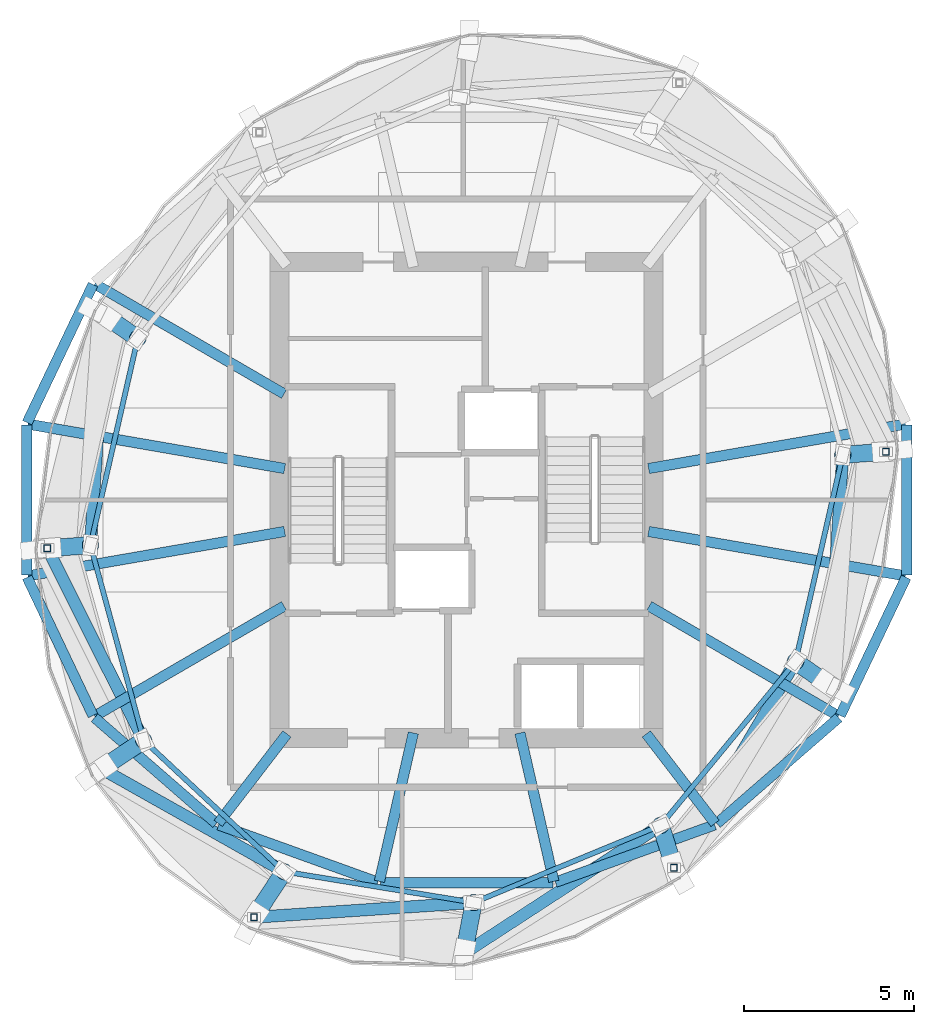
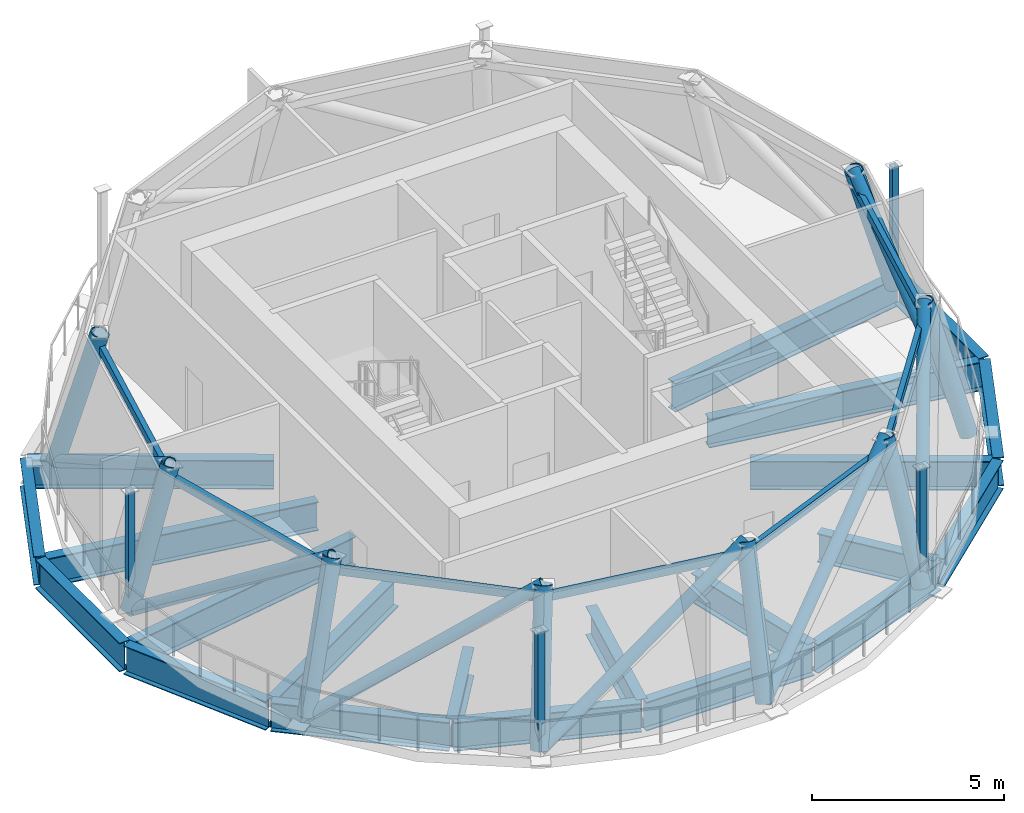
# One storey, part 1 of 7: 26 members, 21 beams.
"""IFC4 building model written with IfcOpenShell, lengths in metres."""

from ifc_helpers import new_model, si_unit, direction, frame, origin, origin_2d, place, context, subcontext, project, spatial, hollow_rectangle, hollow_circle, i_section, extrude, material, material_profile, profile_set, type_object, element, save


model = new_model("IFC4")

# Units and contexts
model_context = context("Model", 3, precision=1e-05, world=origin(), true_north=direction((0.0, 1.0)))
body_context = subcontext(model_context, "Body", "Model", "MODEL_VIEW")
ifc_project = project(units=[si_unit("LENGTHUNIT", "METRE"), si_unit("AREAUNIT", "SQUARE_METRE"), si_unit("VOLUMEUNIT", "CUBIC_METRE"), si_unit("PLANEANGLEUNIT", "RADIAN"), si_unit("MASSUNIT", "GRAM", prefix="KILO")], contexts=[model_context])

# Site, building, storey
site_placement = place(None, origin())
site = spatial("IfcSite", under=ifc_project, at=site_placement, CompositionType="ELEMENT")
building_placement = place(site_placement, origin())
building = spatial("IfcBuilding", under=site, at=building_placement, Name="Veldorim Arch Residences", CompositionType="ELEMENT")
storey_placement = place(building_placement, frame((0.0, 0.0, 251.0400390625)))
storey = spatial("IfcBuildingStorey", under=building, at=storey_placement, Name="L75", CompositionType="ELEMENT", Elevation=251.0400390625)

# Members
ifc_material_1 = material(Name="Steel S460", Category="steel")
ifc_material_profile_1 = material_profile(ifc_material_1, hollow_circle(Radius=0.177734375, WallThickness=0.02490234375, at=origin_2d()), Name="CHS355.6x25")
ifc_profile_set_1 = profile_set([ifc_material_profile_1], Name="Steel S460")
member_type_1 = type_object("IfcMemberType", Name="Crown Diagrid CHS355.6x25", PredefinedType="STRUT", material=ifc_profile_set_1)
member_1_placement = place(storey_placement, frame((21.370361328125, 29.416015625, 0.0), z_axis=(-0.055035247735, -0.849831592334, 0.524173049838), x_axis=(0.997909632251, -0.064624808402, 0.0)))
element("IfcMember", 1, at=member_1_placement, inside=storey, type_object=member_type_1, Name="L75 Crown Diagrid diagrid brace 04", PredefinedType="STRUT", context=body_context, shape_type="SweptSolid", body=[
    extrude(hollow_circle(Radius=0.177734375, WallThickness=0.02490234375, at=origin_2d()), origin(), (0.0, 0.0, 1.0), 7.93603515625),
])
member_2_placement = place(storey_placement, frame((19.664306640625, 22.57763671875, 0.0), z_axis=(0.374609822945, -0.746736009212, 0.549593316097), x_axis=(0.893831825321, 0.448402350623, 0.0)))
element("IfcMember", 2, at=member_2_placement, inside=storey, type_object=member_type_1, Name="L75 Crown Diagrid diagrid brace 05", PredefinedType="STRUT", context=body_context, shape_type="SweptSolid", body=[
    extrude(hollow_circle(Radius=0.177734375, WallThickness=0.02490234375, at=origin_2d()), origin(), (0.0, 0.0, 1.0), 7.569091796875),
])
member_3_placement = place(storey_placement, frame((21.25341796875, 16.09521484375, 0.0), z_axis=(0.722502643959, -0.406836275155, 0.558993895038), x_axis=(0.490653793986, 0.871354608898, 0.0)))
element("IfcMember", 3, at=member_3_placement, inside=storey, type_object=member_type_1, Name="L75 Crown Diagrid diagrid brace 06", PredefinedType="STRUT", context=body_context, shape_type="SweptSolid", body=[
    extrude(hollow_circle(Radius=0.177734375, WallThickness=0.02490234375, at=origin_2d()), origin(), (0.0, 0.0, 1.0), 7.44189453125),
])
member_4_placement = place(storey_placement, frame((25.743896484375, 11.721923828125, 0.0), z_axis=(0.839575217455, 0.0564748069, 0.540299963373), x_axis=(-0.067114264156, 0.997745295928, 0.0)))
element("IfcMember", 4, at=member_4_placement, inside=storey, type_object=member_type_1, Name="L75 Crown Diagrid diagrid brace 07", PredefinedType="STRUT", context=body_context, shape_type="SweptSolid", body=[
    extrude(hollow_circle(Radius=0.177734375, WallThickness=0.02490234375, at=origin_2d()), origin(), (0.0, 0.0, 1.0), 7.69921875),
])
member_5_placement = place(storey_placement, frame((31.92138671875, 10.659423828125, 0.0), z_axis=(0.718023965014, 0.467413231535, 0.515719358423), x_axis=(-0.545560663654, 0.838071334836, 0.0)))
element("IfcMember", 5, at=member_5_placement, inside=storey, type_object=member_type_1, Name="L75 Crown Diagrid diagrid brace 08", PredefinedType="STRUT", context=body_context, shape_type="SweptSolid", body=[
    extrude(hollow_circle(Radius=0.177734375, WallThickness=0.02490234375, at=origin_2d()), origin(), (0.0, 0.0, 1.0), 8.066162109375),
])
member_6_placement = place(storey_placement, frame((38.10009765625, 13.18408203125, 0.0), z_axis=(0.437318733251, 0.741554741246, 0.508771944276), x_axis=(-0.861370183832, 0.507977761723, 0.0)))
element("IfcMember", 6, at=member_6_placement, inside=storey, type_object=member_type_1, Name="L75 Crown Diagrid diagrid brace 09", PredefinedType="STRUT", context=body_context, shape_type="SweptSolid", body=[
    extrude(hollow_circle(Radius=0.177734375, WallThickness=0.02490234375, at=origin_2d()), origin(), (0.0, 0.0, 1.0), 8.17626953125),
])
member_7_placement = place(storey_placement, frame((42.629638671875, 18.583984375, 0.0), z_axis=(0.055035247735, 0.849831592334, 0.524173049838), x_axis=(-0.997909632251, 0.064624808402, 0.0)))
element("IfcMember", 7, at=member_7_placement, inside=storey, type_object=member_type_1, Name="L75 Crown Diagrid diagrid brace 10", PredefinedType="STRUT", context=body_context, shape_type="SweptSolid", body=[
    extrude(hollow_circle(Radius=0.177734375, WallThickness=0.02490234375, at=origin_2d()), origin(), (0.0, 0.0, 1.0), 7.93603515625),
])
ifc_material_2 = material(Name="Steel S460", Category="steel")
ifc_material_profile_2 = material_profile(ifc_material_2, hollow_circle(Radius=0.25390625, WallThickness=0.034912109375, at=origin_2d()), Name="CHS508x35")
ifc_profile_set_2 = profile_set([ifc_material_profile_2], Name="Steel S460")
member_type_2 = type_object("IfcMemberType", Name="Crown Diagrid CHS508x35", PredefinedType="BRACE", material=ifc_profile_set_2)
member_8_placement = place(storey_placement, frame((21.370361328125, 29.416015625, 0.0), z_axis=(0.220845778104, -0.153580235247, 0.96314082752), x_axis=(0.570935188225, 0.820995134484, 0.0)))
element("IfcMember", 8, at=member_8_placement, inside=storey, type_object=member_type_2, Name="L75 Crown Diagrid tapering rib 04", PredefinedType="BRACE", context=body_context, shape_type="SweptSolid", body=[
    extrude(hollow_circle(Radius=0.25390625, WallThickness=0.034912109375, at=origin_2d()), origin(), (0.0, 0.0, 1.0), 4.319091796875),
])
member_9_placement = place(storey_placement, frame((19.664306640625, 22.57763671875, 0.0), z_axis=(0.291772459094, 0.021606539094, 0.956243687343), x_axis=(-0.073850488533, 0.997269324377, 0.0)))
element("IfcMember", 9, at=member_9_placement, inside=storey, type_object=member_type_2, Name="L75 Crown Diagrid tapering rib 05", PredefinedType="BRACE", context=body_context, shape_type="SweptSolid", body=[
    extrude(hollow_circle(Radius=0.25390625, WallThickness=0.034912109375, at=origin_2d()), origin(), (0.0, 0.0, 1.0), 4.350341796875),
])
member_10_placement = place(storey_placement, frame((21.25341796875, 16.09521484375, 0.0), z_axis=(0.281895659201, 0.187801593916, 0.940885433326), x_axis=(-0.554436825685, 0.832225814502, 0.0)))
element("IfcMember", 10, at=member_10_placement, inside=storey, type_object=member_type_2, Name="L75 Crown Diagrid tapering rib 06", PredefinedType="BRACE", context=body_context, shape_type="SweptSolid", body=[
    extrude(hollow_circle(Radius=0.25390625, WallThickness=0.034912109375, at=origin_2d()), origin(), (0.0, 0.0, 1.0), 4.42138671875),
])
member_11_placement = place(storey_placement, frame((25.743896484375, 11.721923828125, 0.0), z_axis=(0.19865850046, 0.301654450286, 0.932490961252), x_axis=(-0.835160679729, 0.550006035453, 0.0)))
element("IfcMember", 11, at=member_11_placement, inside=storey, type_object=member_type_2, Name="L75 Crown Diagrid tapering rib 07", PredefinedType="BRACE", context=body_context, shape_type="SweptSolid", body=[
    extrude(hollow_circle(Radius=0.25390625, WallThickness=0.034912109375, at=origin_2d()), origin(), (0.0, 0.0, 1.0), 4.461181640625),
])
member_12_placement = place(storey_placement, frame((31.92138671875, 10.659423828125, 0.0), z_axis=(0.064693311534, 0.337959181977, 0.938934697815), x_axis=(-0.982167148307, 0.188009820987, 0.0)))
element("IfcMember", 12, at=member_12_placement, inside=storey, type_object=member_type_2, Name="L75 Crown Diagrid tapering rib 08", PredefinedType="BRACE", context=body_context, shape_type="SweptSolid", body=[
    extrude(hollow_circle(Radius=0.25390625, WallThickness=0.034912109375, at=origin_2d()), origin(), (0.0, 0.0, 1.0), 4.430419921875),
])
member_13_placement = place(storey_placement, frame((38.10009765625, 13.18408203125, 0.0), z_axis=(-0.08876103006, 0.285715315688, 0.954195073307), x_axis=(-0.954978222575, -0.296675908033, 0.0)))
element("IfcMember", 13, at=member_13_placement, inside=storey, type_object=member_type_2, Name="L75 Crown Diagrid tapering rib 09", PredefinedType="BRACE", context=body_context, shape_type="SweptSolid", body=[
    extrude(hollow_circle(Radius=0.25390625, WallThickness=0.034912109375, at=origin_2d()), origin(), (0.0, 0.0, 1.0), 4.359619140625),
])
member_14_placement = place(storey_placement, frame((42.629638671875, 18.583984375, 0.0), z_axis=(-0.220845778104, 0.153580235247, 0.96314082752), x_axis=(-0.570935188225, -0.820995134484, 0.0)))
element("IfcMember", 14, at=member_14_placement, inside=storey, type_object=member_type_2, Name="L75 Crown Diagrid tapering rib 10", PredefinedType="BRACE", context=body_context, shape_type="SweptSolid", body=[
    extrude(hollow_circle(Radius=0.25390625, WallThickness=0.034912109375, at=origin_2d()), origin(), (0.0, 0.0, 1.0), 4.319091796875),
])
member_15_placement = place(storey_placement, frame((44.335693359375, 25.42236328125, 0.0), z_axis=(-0.291772459094, -0.021606539094, 0.956243687343), x_axis=(0.073850488533, -0.997269324377, 0.0)))
element("IfcMember", 15, at=member_15_placement, inside=storey, type_object=member_type_2, Name="L75 Crown Diagrid tapering rib 11", PredefinedType="BRACE", context=body_context, shape_type="SweptSolid", body=[
    extrude(hollow_circle(Radius=0.25390625, WallThickness=0.034912109375, at=origin_2d()), origin(), (0.0, 0.0, 1.0), 4.350341796875),
])

# Beams
ifc_material_3 = material(Name="Steel S355", Category="steel")
ifc_material_profile_3 = material_profile(ifc_material_3, i_section(OverallWidth=0.305419921875, OverallDepth=0.91845703125, WebThickness=0.017333984375, FlangeThickness=0.02783203125, at=origin_2d()), Name="UB914x305x253")
ifc_profile_set_3 = profile_set([ifc_material_profile_3], Name="Steel S355")
beam_type = type_object("IfcBeamType", Name="Structural Steel GIRDER UB914x305x253", PredefinedType="USERDEFINED", material=ifc_profile_set_3)
beam_1_placement = place(storey_placement, frame((37.352294921875, 24.92578125, -0.789306640625), z_axis=(0.985359560088, 0.170489112096, 0.0), x_axis=(-0.170489112096, 0.985359560088, 0.0)))
element("IfcBeam", 16, at=beam_1_placement, inside=storey, type_object=beam_type, Name="L75 crown rib base transfer girder 01", ObjectType="GIRDER", PredefinedType="USERDEFINED", context=body_context, shape_type="SweptSolid", body=[
    extrude(i_section(OverallWidth=0.305419921875, OverallDepth=0.91845703125, WebThickness=0.017333984375, FlangeThickness=0.02783203125, at=origin_2d()), origin(), (0.0, 0.0, 1.0), 7.6669921875),
])
beam_2_placement = place(storey_placement, frame((21.00732421875, 30.341796875, -0.789306640625), z_axis=(-0.429979872273, -0.902838473615, 0.0), x_axis=(0.902838473615, -0.429979872273, 0.0)))
element("IfcBeam", 17, at=beam_2_placement, inside=storey, type_object=beam_type, Name="L75 crown perimeter transfer ring girder 07", ObjectType="GIRDER", PredefinedType="USERDEFINED", context=body_context, shape_type="SweptSolid", body=[
    extrude(i_section(OverallWidth=0.305419921875, OverallDepth=0.91845703125, WebThickness=0.017333984375, FlangeThickness=0.02783203125, at=origin_2d()), origin(), (0.0, 0.0, 1.0), 4.503662109375),
])
beam_3_placement = place(storey_placement, frame((26.629638671875, 27.12060546875, -0.789306640625), z_axis=(-0.864600984746, 0.502459090053, 0.0), x_axis=(-0.502459090053, -0.864600984746, 0.0)))
element("IfcBeam", 18, at=beam_3_placement, inside=storey, type_object=beam_type, Name="L75 crown rib base transfer girder 07", ObjectType="GIRDER", PredefinedType="USERDEFINED", context=body_context, shape_type="SweptSolid", body=[
    extrude(i_section(OverallWidth=0.305419921875, OverallDepth=0.91845703125, WebThickness=0.017333984375, FlangeThickness=0.02783203125, at=origin_2d()), origin(), (0.0, 0.0, 1.0), 6.44287109375),
])
beam_4_placement = place(storey_placement, frame((19.0537109375, 26.19970703125, -0.789306640625), z_axis=(0.0, -1.0, 0.0), x_axis=(1.0, 0.0, 0.0)))
element("IfcBeam", 19, at=beam_4_placement, inside=storey, type_object=beam_type, Name="L75 crown perimeter transfer ring girder 08", ObjectType="GIRDER", PredefinedType="USERDEFINED", context=body_context, shape_type="SweptSolid", body=[
    extrude(i_section(OverallWidth=0.305419921875, OverallDepth=0.91845703125, WebThickness=0.017333984375, FlangeThickness=0.02783203125, at=origin_2d()), origin(), (0.0, 0.0, 1.0), 4.3994140625),
])
beam_5_placement = place(storey_placement, frame((26.647705078125, 24.92578125, -0.789306640625), z_axis=(-0.985359560088, 0.170489112096, 0.0), x_axis=(-0.170489112096, -0.985359560088, 0.0)))
element("IfcBeam", 20, at=beam_5_placement, inside=storey, type_object=beam_type, Name="L75 crown rib base transfer girder 08", ObjectType="GIRDER", PredefinedType="USERDEFINED", context=body_context, shape_type="SweptSolid", body=[
    extrude(i_section(OverallWidth=0.305419921875, OverallDepth=0.91845703125, WebThickness=0.017333984375, FlangeThickness=0.02783203125, at=origin_2d()), origin(), (0.0, 0.0, 1.0), 7.6669921875),
])
beam_6_placement = place(storey_placement, frame((19.07080078125, 21.724365234375, -0.789306640625), z_axis=(0.429979872273, -0.902838473615, 0.0), x_axis=(0.902838473615, 0.429979872273, 0.0)))
element("IfcBeam", 21, at=beam_6_placement, inside=storey, type_object=beam_type, Name="L75 crown perimeter transfer ring girder 09", ObjectType="GIRDER", PredefinedType="USERDEFINED", context=body_context, shape_type="SweptSolid", body=[
    extrude(i_section(OverallWidth=0.305419921875, OverallDepth=0.91845703125, WebThickness=0.017333984375, FlangeThickness=0.02783203125, at=origin_2d()), origin(), (0.0, 0.0, 1.0), 4.503662109375),
])
beam_7_placement = place(storey_placement, frame((26.647705078125, 23.07421875, -0.789306640625), z_axis=(-0.985359560088, -0.170489112096, 0.0), x_axis=(0.170489112096, -0.985359560088, 0.0)))
element("IfcBeam", 22, at=beam_7_placement, inside=storey, type_object=beam_type, Name="L75 crown rib base transfer girder 09", ObjectType="GIRDER", PredefinedType="USERDEFINED", context=body_context, shape_type="SweptSolid", body=[
    extrude(i_section(OverallWidth=0.305419921875, OverallDepth=0.91845703125, WebThickness=0.017333984375, FlangeThickness=0.02783203125, at=origin_2d()), origin(), (0.0, 0.0, 1.0), 7.6669921875),
])
beam_8_placement = place(storey_placement, frame((21.0546875, 17.595947265625, -0.789306640625), z_axis=(0.754542402207, -0.656251295825, 0.0), x_axis=(0.656251295825, 0.754542402207, 0.0)))
element("IfcBeam", 23, at=beam_8_placement, inside=storey, type_object=beam_type, Name="L75 crown perimeter transfer ring girder 10", ObjectType="GIRDER", PredefinedType="USERDEFINED", context=body_context, shape_type="SweptSolid", body=[
    extrude(i_section(OverallWidth=0.305419921875, OverallDepth=0.91845703125, WebThickness=0.017333984375, FlangeThickness=0.02783203125, at=origin_2d()), origin(), (0.0, 0.0, 1.0), 4.74658203125),
])
beam_9_placement = place(storey_placement, frame((26.629638671875, 20.87939453125, -0.789306640625), z_axis=(-0.864600984746, -0.502459090053, 0.0), x_axis=(0.502459090053, -0.864600984746, 0.0)))
element("IfcBeam", 24, at=beam_9_placement, inside=storey, type_object=beam_type, Name="L75 crown rib base transfer girder 10", ObjectType="GIRDER", PredefinedType="USERDEFINED", context=body_context, shape_type="SweptSolid", body=[
    extrude(i_section(OverallWidth=0.305419921875, OverallDepth=0.91845703125, WebThickness=0.017333984375, FlangeThickness=0.02783203125, at=origin_2d()), origin(), (0.0, 0.0, 1.0), 6.44287109375),
])
beam_10_placement = place(storey_placement, frame((24.7041015625, 14.441162109375, -0.789306640625), z_axis=(0.940817364479, -0.338913981261, 0.0), x_axis=(0.338913981261, 0.940817364479, 0.0)))
element("IfcBeam", 25, at=beam_10_placement, inside=storey, type_object=beam_type, Name="L75 crown perimeter transfer ring girder 11", ObjectType="GIRDER", PredefinedType="USERDEFINED", context=body_context, shape_type="SweptSolid", body=[
    extrude(i_section(OverallWidth=0.305419921875, OverallDepth=0.91845703125, WebThickness=0.017333984375, FlangeThickness=0.02783203125, at=origin_2d()), origin(), (0.0, 0.0, 1.0), 4.977783203125),
])
beam_11_placement = place(storey_placement, frame((26.71337890625, 17.118896484375, -0.789306640625), z_axis=(-0.609220183268, -0.793001114942, 0.0), x_axis=(0.793001114942, -0.609220183268, 0.0)))
element("IfcBeam", 26, at=beam_11_placement, inside=storey, type_object=beam_type, Name="L75 crown rib base transfer girder 11", ObjectType="GIRDER", PredefinedType="USERDEFINED", context=body_context, shape_type="SweptSolid", body=[
    extrude(i_section(OverallWidth=0.305419921875, OverallDepth=0.91845703125, WebThickness=0.017333984375, FlangeThickness=0.02783203125, at=origin_2d()), origin(), (0.0, 0.0, 1.0), 3.31982421875),
])
beam_12_placement = place(storey_placement, frame((29.46484375, 12.740478515625, -0.789306640625), z_axis=(1.0, 0.0, 0.0), x_axis=(0.0, 1.0, 0.0)))
element("IfcBeam", 27, at=beam_12_placement, inside=storey, type_object=beam_type, Name="L75 crown perimeter transfer ring girder 12", ObjectType="GIRDER", PredefinedType="USERDEFINED", context=body_context, shape_type="SweptSolid", body=[
    extrude(i_section(OverallWidth=0.305419921875, OverallDepth=0.91845703125, WebThickness=0.017333984375, FlangeThickness=0.02783203125, at=origin_2d()), origin(), (0.0, 0.0, 1.0), 5.0703125),
])
beam_13_placement = place(storey_placement, frame((30.432373046875, 17.146240234375, -0.789306640625), z_axis=(-0.222968348227, -0.974825684771, 0.0), x_axis=(0.974825684771, -0.222968348227, 0.0)))
element("IfcBeam", 28, at=beam_13_placement, inside=storey, type_object=beam_type, Name="L75 crown rib base transfer girder 12", ObjectType="GIRDER", PredefinedType="USERDEFINED", context=body_context, shape_type="SweptSolid", body=[
    extrude(i_section(OverallWidth=0.305419921875, OverallDepth=0.91845703125, WebThickness=0.017333984375, FlangeThickness=0.02783203125, at=origin_2d()), origin(), (0.0, 0.0, 1.0), 4.4794921875),
])
beam_14_placement = place(storey_placement, frame((34.61279296875, 12.754150390625, -0.789306640625), z_axis=(0.940817364479, 0.338913981261, 0.0), x_axis=(-0.338913981261, 0.940817364479, 0.0)))
element("IfcBeam", 29, at=beam_14_placement, inside=storey, type_object=beam_type, Name="L75 crown perimeter transfer ring girder 13", ObjectType="GIRDER", PredefinedType="USERDEFINED", context=body_context, shape_type="SweptSolid", body=[
    extrude(i_section(OverallWidth=0.305419921875, OverallDepth=0.91845703125, WebThickness=0.017333984375, FlangeThickness=0.02783203125, at=origin_2d()), origin(), (0.0, 0.0, 1.0), 4.977783203125),
])
beam_15_placement = place(storey_placement, frame((33.567626953125, 17.146240234375, -0.789306640625), z_axis=(0.222968348227, -0.974825684771, 0.0), x_axis=(0.974825684771, 0.222968348227, 0.0)))
element("IfcBeam", 30, at=beam_15_placement, inside=storey, type_object=beam_type, Name="L75 crown rib base transfer girder 13", ObjectType="GIRDER", PredefinedType="USERDEFINED", context=body_context, shape_type="SweptSolid", body=[
    extrude(i_section(OverallWidth=0.305419921875, OverallDepth=0.91845703125, WebThickness=0.017333984375, FlangeThickness=0.02783203125, at=origin_2d()), origin(), (0.0, 0.0, 1.0), 4.4794921875),
])
beam_16_placement = place(storey_placement, frame((39.36376953125, 14.48095703125, -0.789306640625), z_axis=(0.754542402207, 0.656251295825, 0.0), x_axis=(-0.656251295825, 0.754542402207, 0.0)))
element("IfcBeam", 31, at=beam_16_placement, inside=storey, type_object=beam_type, Name="L75 crown perimeter transfer ring girder 14", ObjectType="GIRDER", PredefinedType="USERDEFINED", context=body_context, shape_type="SweptSolid", body=[
    extrude(i_section(OverallWidth=0.305419921875, OverallDepth=0.91845703125, WebThickness=0.017333984375, FlangeThickness=0.02783203125, at=origin_2d()), origin(), (0.0, 0.0, 1.0), 4.74658203125),
])
beam_17_placement = place(storey_placement, frame((37.28662109375, 17.118896484375, -0.789306640625), z_axis=(0.609220183268, -0.793001114942, 0.0), x_axis=(0.793001114942, 0.609220183268, 0.0)))
element("IfcBeam", 32, at=beam_17_placement, inside=storey, type_object=beam_type, Name="L75 crown rib base transfer girder 14", ObjectType="GIRDER", PredefinedType="USERDEFINED", context=body_context, shape_type="SweptSolid", body=[
    extrude(i_section(OverallWidth=0.305419921875, OverallDepth=0.91845703125, WebThickness=0.017333984375, FlangeThickness=0.02783203125, at=origin_2d()), origin(), (0.0, 0.0, 1.0), 3.31982421875),
])
beam_18_placement = place(storey_placement, frame((42.99267578125, 17.658203125, -0.789306640625), z_axis=(0.429979872273, 0.902838473615, 0.0), x_axis=(-0.902838473615, 0.429979872273, 0.0)))
element("IfcBeam", 33, at=beam_18_placement, inside=storey, type_object=beam_type, Name="L75 crown perimeter transfer ring girder 15", ObjectType="GIRDER", PredefinedType="USERDEFINED", context=body_context, shape_type="SweptSolid", body=[
    extrude(i_section(OverallWidth=0.305419921875, OverallDepth=0.91845703125, WebThickness=0.017333984375, FlangeThickness=0.02783203125, at=origin_2d()), origin(), (0.0, 0.0, 1.0), 4.503662109375),
])
beam_19_placement = place(storey_placement, frame((37.370361328125, 20.87939453125, -0.789306640625), z_axis=(0.864600984746, -0.502459090053, 0.0), x_axis=(0.502459090053, 0.864600984746, 0.0)))
element("IfcBeam", 34, at=beam_19_placement, inside=storey, type_object=beam_type, Name="L75 crown rib base transfer girder 15", ObjectType="GIRDER", PredefinedType="USERDEFINED", context=body_context, shape_type="SweptSolid", body=[
    extrude(i_section(OverallWidth=0.305419921875, OverallDepth=0.91845703125, WebThickness=0.017333984375, FlangeThickness=0.02783203125, at=origin_2d()), origin(), (0.0, 0.0, 1.0), 6.44287109375),
])
beam_20_placement = place(storey_placement, frame((44.9462890625, 21.80029296875, -0.789306640625), z_axis=(0.0, 1.0, 0.0), x_axis=(-1.0, 0.0, 0.0)))
element("IfcBeam", 35, at=beam_20_placement, inside=storey, type_object=beam_type, Name="L75 crown perimeter transfer ring girder 16", ObjectType="GIRDER", PredefinedType="USERDEFINED", context=body_context, shape_type="SweptSolid", body=[
    extrude(i_section(OverallWidth=0.305419921875, OverallDepth=0.91845703125, WebThickness=0.017333984375, FlangeThickness=0.02783203125, at=origin_2d()), origin(), (0.0, 0.0, 1.0), 4.3994140625),
])
beam_21_placement = place(storey_placement, frame((37.352294921875, 23.07421875, -0.789306640625), z_axis=(0.985359560088, -0.170489112096, 0.0), x_axis=(0.170489112096, 0.985359560088, 0.0)))
element("IfcBeam", 36, at=beam_21_placement, inside=storey, type_object=beam_type, Name="L75 crown rib base transfer girder 16", ObjectType="GIRDER", PredefinedType="USERDEFINED", context=body_context, shape_type="SweptSolid", body=[
    extrude(i_section(OverallWidth=0.305419921875, OverallDepth=0.91845703125, WebThickness=0.017333984375, FlangeThickness=0.02783203125, at=origin_2d()), origin(), (0.0, 0.0, 1.0), 7.6669921875),
])

# Members
ifc_material_4 = material(Name="Steel S460", Category="steel")
ifc_material_profile_4 = material_profile(ifc_material_4, hollow_rectangle(XDim=0.199951171875, YDim=0.199951171875, WallThickness=0.012451171875, at=origin_2d()), Name="SHS200x200x12.5")
ifc_profile_set_4 = profile_set([ifc_material_profile_4], Name="Steel S460")
member_type_3 = type_object("IfcMemberType", Name="Truss Post SHS200x200x12.5", PredefinedType="POST", material=ifc_profile_set_4)
for number, where, z_axis, x_axis, name in (
    (37, (19.664306640625, 22.57763671875, 0.0), (0.0, 0.0, 1.0), (1.0, 0.0, 0.0), "L75 crown interior support post 03"),
    (38, (25.743896484375, 11.721923828125, 0.0), (0.0, 0.0, 1.0), (1.0, 0.0, 0.0), "L75 crown interior support post 04"),
    (39, (38.10009765625, 13.18408203125, 0.0), (0.0, 0.0, 1.0), (1.0, 0.0, 0.0), "L75 crown interior support post 05"),
    (40, (44.335693359375, 25.42236328125, 0.0), (0.0, 0.0, 1.0), (1.0, 0.0, 0.0), "L75 crown interior support post 06"),
):
    element("IfcMember", number, at=place(storey_placement, frame(where, z_axis=z_axis, x_axis=x_axis)), inside=storey, type_object=member_type_3, Name=name, PredefinedType="POST", context=body_context, shape_type="SweptSolid", body=[
        extrude(hollow_rectangle(XDim=0.199951171875, YDim=0.199951171875, WallThickness=0.012451171875, at=origin_2d()), origin(), (0.0, 0.0, 1.0), 3.81005859375),
    ])
ifc_material_5 = material(Name="Steel S355", Category="steel")
ifc_material_profile_5 = material_profile(ifc_material_5, hollow_rectangle(XDim=0.14990234375, YDim=0.25, WallThickness=0.012451171875, at=origin_2d()), Name="RHS250x150x12.5")
ifc_profile_set_5 = profile_set([ifc_material_profile_5], Name="Steel S355")
member_type_4 = type_object("IfcMemberType", Name="Truss Purlin RHS250x150x12.5", PredefinedType="PURLIN", material=ifc_profile_set_5)
member_16_placement = place(storey_placement, frame((22.32421875, 28.752685546875, 3.739990234375), z_axis=(-0.222926818727, -0.974835182732, 0.0), x_axis=(0.974835182732, -0.222926818727, 0.0)))
element("IfcMember", 41, at=member_16_placement, inside=storey, type_object=member_type_4, Name="L75 crown ring purlin 04", PredefinedType="PURLIN", context=body_context, shape_type="SweptSolid", body=[
    extrude(hollow_rectangle(XDim=0.14990234375, YDim=0.25, WallThickness=0.012451171875, at=origin_2d()), origin(), (0.0, 0.0, 1.0), 6.238037109375),
])
member_17_placement = place(storey_placement, frame((20.93359375, 22.671630859375, 3.739990234375), z_axis=(0.262968252239, -0.964804487093, 0.0), x_axis=(0.964804487093, 0.262968252239, 0.0)))
element("IfcMember", 42, at=member_17_placement, inside=storey, type_object=member_type_4, Name="L75 crown ring purlin 05", PredefinedType="PURLIN", context=body_context, shape_type="SweptSolid", body=[
    extrude(hollow_rectangle(XDim=0.14990234375, YDim=0.25, WallThickness=0.012451171875, at=origin_2d()), origin(), (0.0, 0.0, 1.0), 5.955810546875),
])
for number, where, z_axis, x_axis, name in (
    (43, (22.499755859375, 16.925537109375, 3.739990234375), (0.730799526067, -0.682592156928, 0.0), (0.682592156928, 0.730799526067, 0.0), "L75 crown ring purlin 06"),
    (44, (26.630126953125, 13.067626953125, 3.739990234375), (0.986926851751, -0.161168822335, 0.0), (0.161168822335, 0.986926851751, 0.0), "L75 crown ring purlin 07"),
):
    element("IfcMember", number, at=place(storey_placement, frame(where, z_axis=z_axis, x_axis=x_axis)), inside=storey, type_object=member_type_4, Name=name, PredefinedType="PURLIN", context=body_context, shape_type="SweptSolid", body=[
        extrude(hollow_rectangle(XDim=0.14990234375, YDim=0.25, WallThickness=0.012451171875, at=origin_2d()), origin(), (0.0, 0.0, 1.0), 5.65185546875),
    ])
member_18_placement = place(storey_placement, frame((32.2080078125, 12.15673828125, 3.739990234375), z_axis=(0.92431518441, 0.381629977687, 0.0), x_axis=(-0.381629977687, 0.92431518441, 0.0)))
element("IfcMember", 45, at=member_18_placement, inside=storey, type_object=member_type_4, Name="L75 crown ring purlin 08", PredefinedType="PURLIN", context=body_context, shape_type="SweptSolid", body=[
    extrude(hollow_rectangle(XDim=0.14990234375, YDim=0.25, WallThickness=0.012451171875, at=origin_2d()), origin(), (0.0, 0.0, 1.0), 5.955810546875),
])
for number, where, z_axis, x_axis, name in (
    (46, (37.713134765625, 14.4296875, 3.739990234375), (0.635247572259, 0.772308566532, 0.0), (-0.772308566532, 0.635247572259, 0.0), "L75 crown ring purlin 09"),
    (47, (41.67578125, 19.247314453125, 3.739990234375), (0.222926818727, 0.974835182732, 0.0), (-0.974835182732, 0.222926818727, 0.0), "L75 crown ring purlin 10"),
):
    element("IfcMember", number, at=place(storey_placement, frame(where, z_axis=z_axis, x_axis=x_axis)), inside=storey, type_object=member_type_4, Name=name, PredefinedType="PURLIN", context=body_context, shape_type="SweptSolid", body=[
        extrude(hollow_rectangle(XDim=0.14990234375, YDim=0.25, WallThickness=0.012451171875, at=origin_2d()), origin(), (0.0, 0.0, 1.0), 6.238037109375),
    ])

save(model, "model.ifc")
